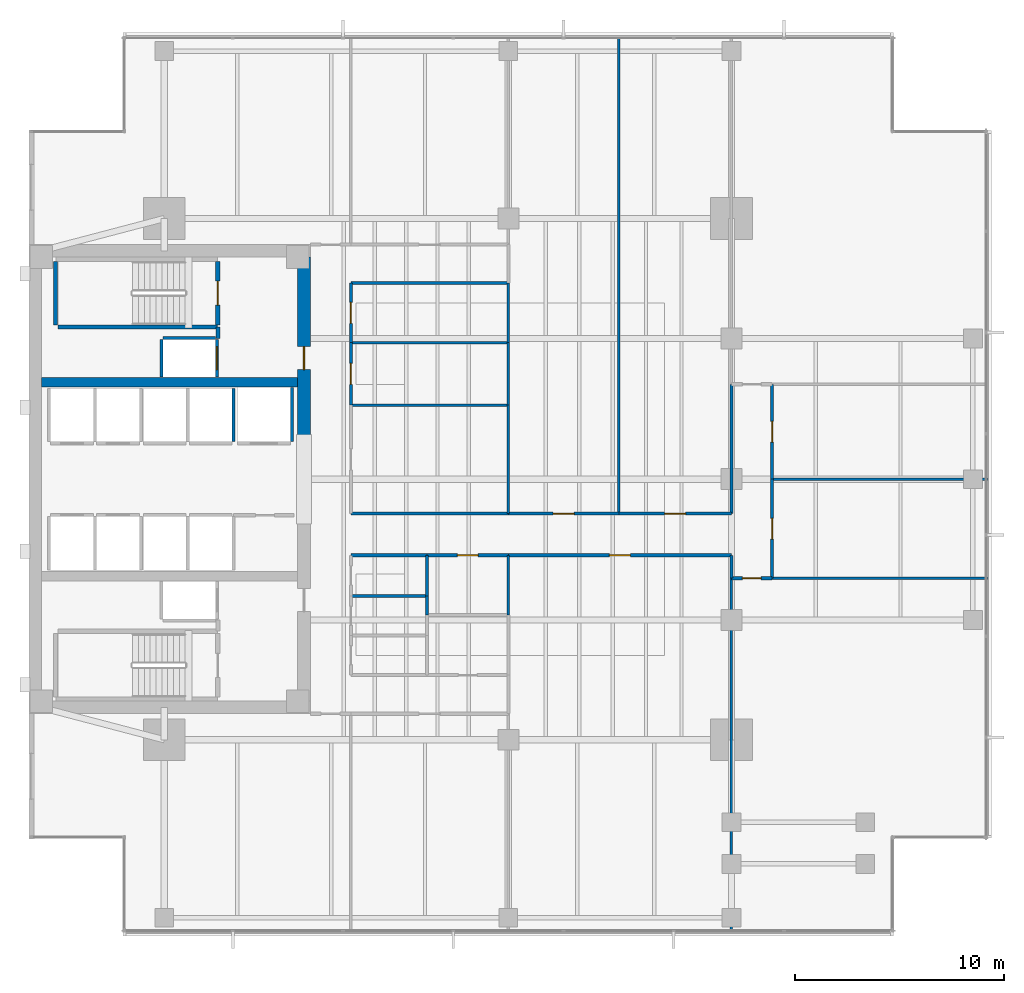
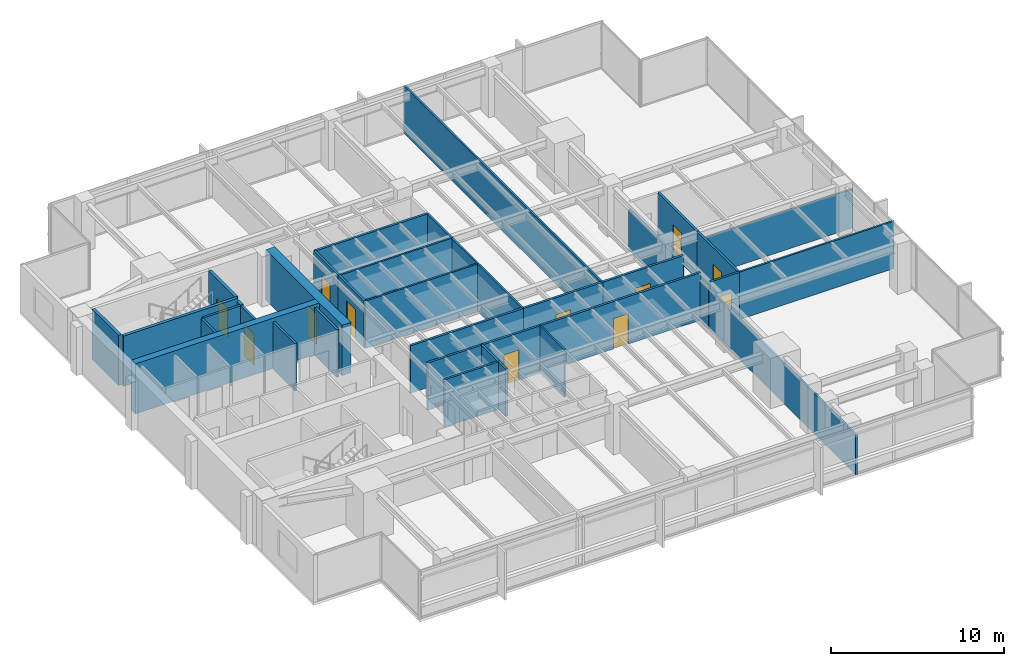
# One storey, part 10 of 15: 38 walls, 12 doors, 12 openings.
"""IFC4 building model written with IfcOpenShell, lengths in metres."""

from ifc_helpers import new_model, si_unit, direction, frame, frame_2d, origin, place, context, subcontext, project, spatial, rectangle, extrude, material, layer, layer_set, type_object, element, fill, save


model = new_model("IFC4")

# Units and contexts
model_context = context("Model", 3, precision=1e-05, world=origin(), true_north=direction((0.0, 1.0)))
body_context = subcontext(model_context, "Body", "Model", "MODEL_VIEW")
ifc_project = project(units=[si_unit("LENGTHUNIT", "METRE"), si_unit("AREAUNIT", "SQUARE_METRE"), si_unit("VOLUMEUNIT", "CUBIC_METRE"), si_unit("PLANEANGLEUNIT", "RADIAN"), si_unit("MASSUNIT", "GRAM", prefix="KILO")], contexts=[model_context])

# Site, building, storey
site_placement = place(None, origin())
site = spatial("IfcSite", under=ifc_project, at=site_placement, CompositionType="ELEMENT")
building_placement = place(site_placement, origin())
building = spatial("IfcBuilding", under=site, at=building_placement, Name="Kinhvarn Gate Tower", CompositionType="ELEMENT")
storey_placement = place(building_placement, frame((0.0, 0.0, 169.699951171875)))
storey = spatial("IfcBuildingStorey", under=building, at=storey_placement, Name="L45", CompositionType="ELEMENT", Elevation=169.699951171875)

# Wall
ifc_material_1 = material(Name="Concrete C50/60", Category="concrete")
ifc_layer_1 = layer(ifc_material_1, 0.449951171875)
ifc_layer_set_1 = layer_set([ifc_layer_1], Name="Concrete C50/60")
wall_type_1 = type_object("IfcWallType", Name="WL-CORE-450", PredefinedType="SHEAR", material=ifc_layer_set_1)
wall_1_placement = place(storey_placement, frame((5.10009765625, 29.89990234375, 0.0), z_axis=(0.0, 0.0, 1.0), x_axis=(1.0, 0.0, 0.0)))
element("IfcWall", 1, at=wall_1_placement, inside=storey, type_object=wall_type_1, Name="Core North Spine Shear Wall L45 450 mm", PredefinedType="SHEAR", context=body_context, shape_type="SweptSolid", body=[
    extrude(rectangle(XDim=12.2998046875, YDim=0.449951171875, at=frame_2d((6.14990234375, 0.0))), origin(), (0.0, 0.0, 1.0), 3.550048828125),
])

# Wall, opening, door
ifc_material_2 = material(Name="Concrete C60/75", Category="concrete")
ifc_layer_2 = layer(ifc_material_2, 0.60009765625)
ifc_layer_set_2 = layer_set([ifc_layer_2], Name="Concrete C60/75")
wall_type_2 = type_object("IfcWallType", Name="WL-CORE-600", PredefinedType="SHEAR", material=ifc_layer_set_2)
wall_2_placement = place(storey_placement, frame((17.699951171875, 27.050048828125, 0.0), z_axis=(0.0, 0.0, 1.0), x_axis=(0.0, 1.0, 0.0)))
wall_2 = element("IfcWall", 2, at=wall_2_placement, inside=storey, type_object=wall_type_2, Name="Core East-North Shear Pier L45 600 mm", PredefinedType="SHEAR", context=body_context, shape_type="SweptSolid", body=[
    extrude(rectangle(XDim=8.849853515625, YDim=0.60009765625, at=frame_2d((4.4248046875, 0.0))), origin(), (0.0, 0.0, 1.0), 3.550048828125),
])
opening_1_placement = place(wall_2_placement, frame((3.449951171875, 0.0, 0.0)))
opening_1 = element("IfcOpeningElement", 3, at=opening_1_placement, cuts=wall_2, Name="Opening FD-02", PredefinedType="OPENING", context=body_context, shape_type="SweptSolid", body=[
    extrude(rectangle(XDim=1.10009765625, YDim=2.14990234375, at=frame_2d((0.550048828125, 1.074951171875))), frame((0.0, 0.31005859375, 0.0), z_axis=(0.0, -1.0, 0.0), x_axis=(1.0, 0.0, 0.0)), (0.0, 0.0, 1.0), 0.6201171875),
])
ifc_material_3 = material(Name="Anodised aluminium AW-6063", Category="aluminium")
door_type_1 = type_object("IfcDoorType", Name="DR-FD-1100", OperationType="NOTDEFINED", PredefinedType="DOOR", material=ifc_material_3)
door_1_placement = place(opening_1_placement, origin())
door_1 = element("IfcDoor", 4, at=door_1_placement, inside=storey, type_object=door_type_1, Name="Firefighting Lobby Core Door (L45)", OperationType="SINGLE_SWING_LEFT", OverallHeight=2.14990234375, OverallWidth=1.10009765625, PredefinedType="DOOR", context=body_context, shape_type="SweptSolid", body=[
    extrude(rectangle(XDim=1.10009765625, YDim=2.14990234375, at=frame_2d((0.550048828125, 1.074951171875))), frame((0.0, 0.02490234375, 0.0), z_axis=(0.0, -1.0, 0.0), x_axis=(1.0, 0.0, 0.0)), (0.0, 0.0, 1.0), 0.050048828125),
])
fill(opening_1, door_1)

# Walls
ifc_material_4 = material(Name="Gypsum acoustic partition board")
ifc_layer_3 = layer(ifc_material_4, 0.14990234375)
ifc_layer_set_3 = layer_set([ifc_layer_3], Name="Gypsum acoustic partition board")
wall_type_3 = type_object("IfcWallType", Name="WL-PLM-150", PredefinedType="PLUMBINGWALL", material=ifc_layer_set_3)
wall_3_placement = place(storey_placement, frame((19.949951171875, 19.64990234375, 0.0), z_axis=(0.0, 0.0, 1.0), x_axis=(1.0, 0.0, 0.0)))
element("IfcWall", 5, at=wall_3_placement, inside=storey, type_object=wall_type_3, Name="Interior Partition PLW-150 (L45)", PredefinedType="PLUMBINGWALL", context=body_context, shape_type="SweptSolid", body=[
    extrude(rectangle(XDim=3.650146484375, YDim=0.14990234375, at=frame_2d((1.8251953125, 0.0))), origin(), (0.0, 0.0, 1.0), 3.35009765625),
])
wall_4_placement = place(storey_placement, frame((23.60009765625, 18.72998046875, 0.0), z_axis=(0.0, 0.0, 1.0), x_axis=(0.0, 1.0, 0.0)))
element("IfcWall", 6, at=wall_4_placement, inside=storey, type_object=wall_type_3, Name="Interior Partition PLW-150 (L45)", PredefinedType="PLUMBINGWALL", context=body_context, shape_type="SweptSolid", body=[
    extrude(rectangle(XDim=0.919921875, YDim=0.14990234375, at=frame_2d((0.4599609375, 0.0))), origin(), (0.0, 0.0, 1.0), 3.35009765625),
])
wall_5_placement = place(storey_placement, frame((23.60009765625, 19.64990234375, 0.0), z_axis=(0.0, 0.0, 1.0), x_axis=(0.0, 1.0, 0.0)))
element("IfcWall", 7, at=wall_5_placement, inside=storey, type_object=wall_type_3, Name="Interior Partition PLW-150 (L45)", PredefinedType="PLUMBINGWALL", context=body_context, shape_type="SweptSolid", body=[
    extrude(rectangle(XDim=1.9501953125, YDim=0.14990234375, at=frame_2d((0.97509765625, 0.0))), origin(), (0.0, 0.0, 1.0), 3.35009765625),
])
ifc_layer_4 = layer(ifc_material_4, 0.14990234375)
ifc_layer_set_4 = layer_set([ifc_layer_4], Name="Gypsum acoustic partition board")
wall_type_4 = type_object("IfcWallType", Name="WL-PLM-150F", PredefinedType="PLUMBINGWALL", material=ifc_layer_set_4)
wall_6_placement = place(storey_placement, frame((19.949951171875, 21.60009765625, 0.0), z_axis=(0.0, 0.0, 1.0), x_axis=(1.0, 0.0, 0.0)))
element("IfcWall", 8, at=wall_6_placement, inside=storey, type_object=wall_type_4, Name="Interior Partition PLW-150F (L45)", PredefinedType="PLUMBINGWALL", context=body_context, shape_type="SweptSolid", body=[
    extrude(rectangle(XDim=3.650146484375, YDim=0.14990234375, at=frame_2d((1.8251953125, 0.0))), origin(), (0.0, 0.0, 1.0), 3.35009765625),
])
ifc_layer_5 = layer(ifc_material_4, 0.1201171875)
ifc_layer_set_5 = layer_set([ifc_layer_5], Name="Gypsum acoustic partition board")
wall_type_5 = type_object("IfcWallType", Name="WL-PRT-120", PredefinedType="PARTITIONING", material=ifc_layer_set_5)
wall_7_placement = place(storey_placement, frame((27.5, 18.72998046875, 0.0), z_axis=(0.0, 0.0, 1.0), x_axis=(0.0, 1.0, 0.0)))
element("IfcWall", 9, at=wall_7_placement, inside=storey, type_object=wall_type_5, Name="Interior Partition PW-120 (L45)", PredefinedType="PARTITIONING", context=body_context, shape_type="SweptSolid", body=[
    extrude(rectangle(XDim=2.8701171875, YDim=0.1201171875, at=frame_2d((1.43505859375, 0.0))), origin(), (0.0, 0.0, 1.0), 3.35009765625),
])
wall_8_placement = place(storey_placement, frame((19.949951171875, 28.800048828125, 0.0), z_axis=(0.0, 0.0, 1.0), x_axis=(1.0, 0.0, 0.0)))
element("IfcWall", 10, at=wall_8_placement, inside=storey, type_object=wall_type_5, Name="Interior Partition PW-120 (L45)", PredefinedType="PARTITIONING", context=body_context, shape_type="SweptSolid", body=[
    extrude(rectangle(XDim=7.550048828125, YDim=0.1201171875, at=frame_2d((3.77490234375, 0.0))), origin(), (0.0, 0.0, 1.0), 3.35009765625),
])
wall_9_placement = place(storey_placement, frame((27.5, 23.60009765625, 0.0), z_axis=(0.0, 0.0, 1.0), x_axis=(0.0, 1.0, 0.0)))
element("IfcWall", 11, at=wall_9_placement, inside=storey, type_object=wall_type_5, Name="Interior Partition PW-120 (L45)", PredefinedType="PARTITIONING", context=body_context, shape_type="SweptSolid", body=[
    extrude(rectangle(XDim=5.199951171875, YDim=0.1201171875, at=frame_2d((2.60009765625, 0.0))), origin(), (0.0, 0.0, 1.0), 3.35009765625),
])
wall_10_placement = place(storey_placement, frame((19.949951171875, 31.800048828125, 0.0), z_axis=(0.0, 0.0, 1.0), x_axis=(1.0, 0.0, 0.0)))
element("IfcWall", 12, at=wall_10_placement, inside=storey, type_object=wall_type_5, Name="Interior Partition PW-120 (L45)", PredefinedType="PARTITIONING", context=body_context, shape_type="SweptSolid", body=[
    extrude(rectangle(XDim=7.550048828125, YDim=0.1201171875, at=frame_2d((3.77490234375, 0.0))), origin(), (0.0, 0.0, 1.0), 3.35009765625),
])
wall_11_placement = place(storey_placement, frame((27.5, 28.800048828125, 0.0), z_axis=(0.0, 0.0, 1.0), x_axis=(0.0, 1.0, 0.0)))
element("IfcWall", 13, at=wall_11_placement, inside=storey, type_object=wall_type_5, Name="Interior Partition PW-120 (L45)", PredefinedType="PARTITIONING", context=body_context, shape_type="SweptSolid", body=[
    extrude(rectangle(XDim=3.0, YDim=0.1201171875, at=frame_2d((1.5, 0.0))), origin(), (0.0, 0.0, 1.0), 3.35009765625),
])
wall_12_placement = place(storey_placement, frame((27.5, 31.800048828125, 0.0), z_axis=(0.0, 0.0, 1.0), x_axis=(0.0, 1.0, 0.0)))
element("IfcWall", 14, at=wall_12_placement, inside=storey, type_object=wall_type_5, Name="Interior Partition PW-120 (L45)", PredefinedType="PARTITIONING", context=body_context, shape_type="SweptSolid", body=[
    extrude(rectangle(XDim=2.849853515625, YDim=0.1201171875, at=frame_2d((1.4248046875, 0.0))), origin(), (0.0, 0.0, 1.0), 3.35009765625),
])
wall_13_placement = place(storey_placement, frame((38.199951171875, 3.510009765625, 0.0), z_axis=(0.0, 0.0, 1.0), x_axis=(0.0, 1.0, 0.0)))
element("IfcWall", 15, at=wall_13_placement, inside=storey, type_object=wall_type_5, Name="Interior Partition PW-120 (L45)", PredefinedType="PARTITIONING", context=body_context, shape_type="SweptSolid", body=[
    extrude(rectangle(XDim=16.989990234375, YDim=0.1201171875, at=frame_2d((8.4951171875, 0.0))), origin(), (0.0, 0.0, 1.0), 2.85009765625),
])
wall_14_placement = place(storey_placement, frame((32.800048828125, 23.60009765625, 0.0), z_axis=(0.0, 0.0, 1.0), x_axis=(0.0, 1.0, 0.0)))
element("IfcWall", 16, at=wall_14_placement, inside=storey, type_object=wall_type_5, Name="Interior Partition PW-120 (L45)", PredefinedType="PARTITIONING", context=body_context, shape_type="SweptSolid", body=[
    extrude(rectangle(XDim=22.889892578125, YDim=0.1201171875, at=frame_2d((11.44482421875, 0.0))), origin(), (0.0, 0.0, 1.0), 3.35009765625),
])
wall_15_placement = place(storey_placement, frame((40.14990234375, 20.5, 0.0), z_axis=(0.0, 0.0, 1.0), x_axis=(1.0, 0.0, 0.0)))
element("IfcWall", 17, at=wall_15_placement, inside=storey, type_object=wall_type_5, Name="Interior Partition PW-120 (L45)", PredefinedType="PARTITIONING", context=body_context, shape_type="SweptSolid", body=[
    extrude(rectangle(XDim=10.340087890625, YDim=0.1201171875, at=frame_2d((5.169921875, 0.0))), origin(), (0.0, 0.0, 1.0), 3.35009765625),
])
wall_16_placement = place(storey_placement, frame((40.14990234375, 25.25, 0.0), z_axis=(0.0, 0.0, 1.0), x_axis=(1.0, 0.0, 0.0)))
element("IfcWall", 18, at=wall_16_placement, inside=storey, type_object=wall_type_5, Name="Interior Partition PW-120 (L45)", PredefinedType="PARTITIONING", context=body_context, shape_type="SweptSolid", body=[
    extrude(rectangle(XDim=10.340087890625, YDim=0.1201171875, at=frame_2d((5.169921875, 0.0))), origin(), (0.0, 0.0, 1.0), 2.75),
])

# Wall, opening, door
ifc_layer_6 = layer(ifc_material_4, 0.14990234375)
ifc_layer_set_6 = layer_set([ifc_layer_6], Name="Gypsum acoustic partition board")
wall_type_6 = type_object("IfcWallType", Name="WL-PRT-150F", PredefinedType="PARTITIONING", material=ifc_layer_set_6)
wall_17_placement = place(storey_placement, frame((19.949951171875, 28.800048828125, 0.0), z_axis=(0.0, 0.0, 1.0), x_axis=(0.0, 1.0, 0.0)))
wall_17 = element("IfcWall", 19, at=wall_17_placement, inside=storey, type_object=wall_type_6, Name="Interior Partition PW-150F (L45)", PredefinedType="PARTITIONING", context=body_context, shape_type="SweptSolid", body=[
    extrude(rectangle(XDim=3.0, YDim=0.14990234375, at=frame_2d((1.5, 0.0))), origin(), (0.0, 0.0, 1.0), 3.35009765625),
])
opening_2_placement = place(wall_17_placement, frame((1.0, 0.0, 0.0)))
opening_2 = element("IfcOpeningElement", 20, at=opening_2_placement, cuts=wall_17, Name="Opening ID-02", PredefinedType="OPENING", context=body_context, shape_type="SweptSolid", body=[
    extrude(rectangle(XDim=1.0, YDim=2.14990234375, at=frame_2d((0.5, 1.074951171875))), frame((0.0, 0.0849609375, 0.0), z_axis=(0.0, -1.0, 0.0), x_axis=(1.0, 0.0, 0.0)), (0.0, 0.0, 1.0), 0.169921875),
])
door_type_2 = type_object("IfcDoorType", Name="DR-INT-1000", OperationType="NOTDEFINED", PredefinedType="DOOR", material=ifc_material_3)
door_2_placement = place(opening_2_placement, origin())
door_2 = element("IfcDoor", 21, at=door_2_placement, inside=storey, type_object=door_type_2, Name="Standard Office & Meeting Room Door 1000x2150 mm (L45)", OperationType="SINGLE_SWING_LEFT", OverallHeight=2.14990234375, OverallWidth=1.0, PredefinedType="DOOR", context=body_context, shape_type="SweptSolid", body=[
    extrude(rectangle(XDim=1.0, YDim=2.14990234375, at=frame_2d((0.5, 1.074951171875))), frame((0.0, 0.02490234375, 0.0), z_axis=(0.0, -1.0, 0.0), x_axis=(1.0, 0.0, 0.0)), (0.0, 0.0, 1.0), 0.050048828125),
])
fill(opening_2, door_2)

wall_18_placement = place(storey_placement, frame((19.949951171875, 31.800048828125, 0.0), z_axis=(0.0, 0.0, 1.0), x_axis=(0.0, 1.0, 0.0)))
wall_18 = element("IfcWall", 22, at=wall_18_placement, inside=storey, type_object=wall_type_6, Name="Interior Partition PW-150F (L45)", PredefinedType="PARTITIONING", context=body_context, shape_type="SweptSolid", body=[
    extrude(rectangle(XDim=2.849853515625, YDim=0.14990234375, at=frame_2d((1.4248046875, 0.0))), origin(), (0.0, 0.0, 1.0), 3.35009765625),
])
opening_3_placement = place(wall_18_placement, frame((0.925048828125, 0.0, 0.0)))
opening_3 = element("IfcOpeningElement", 23, at=opening_3_placement, cuts=wall_18, Name="Opening ID-02", PredefinedType="OPENING", context=body_context, shape_type="SweptSolid", body=[
    extrude(rectangle(XDim=1.0, YDim=2.14990234375, at=frame_2d((0.5, 1.074951171875))), frame((0.0, 0.0849609375, 0.0), z_axis=(0.0, -1.0, 0.0), x_axis=(1.0, 0.0, 0.0)), (0.0, 0.0, 1.0), 0.169921875),
])
door_3_placement = place(opening_3_placement, origin())
door_3 = element("IfcDoor", 24, at=door_3_placement, inside=storey, type_object=door_type_2, Name="Standard Office & Meeting Room Door 1000x2150 mm (L45)", OperationType="SINGLE_SWING_RIGHT", OverallHeight=2.14990234375, OverallWidth=1.0, PredefinedType="DOOR", context=body_context, shape_type="SweptSolid", body=[
    extrude(rectangle(XDim=1.0, YDim=2.14990234375, at=frame_2d((0.5, 1.074951171875))), frame((0.0, 0.02490234375, 0.0), z_axis=(0.0, -1.0, 0.0), x_axis=(1.0, 0.0, 0.0)), (0.0, 0.0, 1.0), 0.050048828125),
])
fill(opening_3, door_3)

wall_19_placement = place(storey_placement, frame((23.60009765625, 21.60009765625, 0.0), z_axis=(0.0, 0.0, 1.0), x_axis=(1.0, 0.0, 0.0)))
wall_19 = element("IfcWall", 25, at=wall_19_placement, inside=storey, type_object=wall_type_6, Name="Interior Partition PW-150F (L45)", PredefinedType="PARTITIONING", context=body_context, shape_type="SweptSolid", body=[
    extrude(rectangle(XDim=3.89990234375, YDim=0.14990234375, at=frame_2d((1.949951171875, 0.0))), origin(), (0.0, 0.0, 1.0), 3.35009765625),
])
opening_4_placement = place(wall_19_placement, frame((1.449951171875, 0.0, 0.0)))
opening_4 = element("IfcOpeningElement", 26, at=opening_4_placement, cuts=wall_19, Name="Opening ID-02", PredefinedType="OPENING", context=body_context, shape_type="SweptSolid", body=[
    extrude(rectangle(XDim=1.0, YDim=2.14990234375, at=frame_2d((0.5, 1.074951171875))), frame((0.0, 0.0849609375, 0.0), z_axis=(0.0, -1.0, 0.0), x_axis=(1.0, 0.0, 0.0)), (0.0, 0.0, 1.0), 0.169921875),
])
door_4_placement = place(opening_4_placement, origin())
door_4 = element("IfcDoor", 27, at=door_4_placement, inside=storey, type_object=door_type_2, Name="Standard Office & Meeting Room Door 1000x2150 mm (L45)", OperationType="SINGLE_SWING_LEFT", OverallHeight=2.14990234375, OverallWidth=1.0, PredefinedType="DOOR", context=body_context, shape_type="SweptSolid", body=[
    extrude(rectangle(XDim=1.0, YDim=2.14990234375, at=frame_2d((0.5, 1.074951171875))), frame((0.0, 0.02490234375, 0.0), z_axis=(0.0, -1.0, 0.0), x_axis=(1.0, 0.0, 0.0)), (0.0, 0.0, 1.0), 0.050048828125),
])
fill(opening_4, door_4)

# Wall
wall_20_placement = place(storey_placement, frame((19.949951171875, 23.60009765625, 0.0), z_axis=(0.0, 0.0, 1.0), x_axis=(1.0, 0.0, 0.0)))
element("IfcWall", 28, at=wall_20_placement, inside=storey, type_object=wall_type_6, Name="Interior Partition PW-150F (L45)", PredefinedType="PARTITIONING", context=body_context, shape_type="SweptSolid", body=[
    extrude(rectangle(XDim=7.550048828125, YDim=0.14990234375, at=frame_2d((3.77490234375, 0.0))), origin(), (0.0, 0.0, 1.0), 3.35009765625),
])

# Wall, opening, door
wall_21_placement = place(storey_placement, frame((27.5, 21.60009765625, 0.0), z_axis=(0.0, 0.0, 1.0), x_axis=(1.0, 0.0, 0.0)))
wall_21 = element("IfcWall", 29, at=wall_21_placement, inside=storey, type_object=wall_type_6, Name="Interior Partition PW-150F (L45)", PredefinedType="PARTITIONING", context=body_context, shape_type="SweptSolid", body=[
    extrude(rectangle(XDim=10.699951171875, YDim=0.14990234375, at=frame_2d((5.35009765625, 0.0))), origin(), (0.0, 0.0, 1.0), 3.35009765625),
])
opening_5_placement = place(wall_21_placement, frame((4.85009765625, 0.0, 0.0)))
opening_5 = element("IfcOpeningElement", 30, at=opening_5_placement, cuts=wall_21, Name="Opening ID-02", PredefinedType="OPENING", context=body_context, shape_type="SweptSolid", body=[
    extrude(rectangle(XDim=1.0, YDim=2.14990234375, at=frame_2d((0.5, 1.074951171875))), frame((0.0, 0.0849609375, 0.0), z_axis=(0.0, -1.0, 0.0), x_axis=(1.0, 0.0, 0.0)), (0.0, 0.0, 1.0), 0.169921875),
])
door_5_placement = place(opening_5_placement, origin())
door_5 = element("IfcDoor", 31, at=door_5_placement, inside=storey, type_object=door_type_2, Name="Standard Office & Meeting Room Door 1000x2150 mm (L45)", OperationType="SINGLE_SWING_RIGHT", OverallHeight=2.14990234375, OverallWidth=1.0, PredefinedType="DOOR", context=body_context, shape_type="SweptSolid", body=[
    extrude(rectangle(XDim=1.0, YDim=2.14990234375, at=frame_2d((0.5, 1.074951171875))), frame((0.0, 0.02490234375, 0.0), z_axis=(0.0, -1.0, 0.0), x_axis=(1.0, 0.0, 0.0)), (0.0, 0.0, 1.0), 0.050048828125),
])
fill(opening_5, door_5)

wall_22_placement = place(storey_placement, frame((27.5, 23.60009765625, 0.0), z_axis=(0.0, 0.0, 1.0), x_axis=(1.0, 0.0, 0.0)))
wall_22 = element("IfcWall", 32, at=wall_22_placement, inside=storey, type_object=wall_type_6, Name="Interior Partition PW-150F (L45)", PredefinedType="PARTITIONING", context=body_context, shape_type="SweptSolid", body=[
    extrude(rectangle(XDim=5.300048828125, YDim=0.14990234375, at=frame_2d((2.64990234375, 0.0))), origin(), (0.0, 0.0, 1.0), 3.35009765625),
])
opening_6_placement = place(wall_22_placement, frame((2.14990234375, 0.0, 0.0)))
opening_6 = element("IfcOpeningElement", 33, at=opening_6_placement, cuts=wall_22, Name="Opening ID-02", PredefinedType="OPENING", context=body_context, shape_type="SweptSolid", body=[
    extrude(rectangle(XDim=1.0, YDim=2.14990234375, at=frame_2d((0.5, 1.074951171875))), frame((0.0, 0.0849609375, 0.0), z_axis=(0.0, -1.0, 0.0), x_axis=(1.0, 0.0, 0.0)), (0.0, 0.0, 1.0), 0.169921875),
])
door_6_placement = place(opening_6_placement, origin())
door_6 = element("IfcDoor", 34, at=door_6_placement, inside=storey, type_object=door_type_2, Name="Standard Office & Meeting Room Door 1000x2150 mm (L45)", OperationType="SINGLE_SWING_LEFT", OverallHeight=2.14990234375, OverallWidth=1.0, PredefinedType="DOOR", context=body_context, shape_type="SweptSolid", body=[
    extrude(rectangle(XDim=1.0, YDim=2.14990234375, at=frame_2d((0.5, 1.074951171875))), frame((0.0, 0.02490234375, 0.0), z_axis=(0.0, -1.0, 0.0), x_axis=(1.0, 0.0, 0.0)), (0.0, 0.0, 1.0), 0.050048828125),
])
fill(opening_6, door_6)

wall_23_placement = place(storey_placement, frame((32.800048828125, 23.60009765625, 0.0), z_axis=(0.0, 0.0, 1.0), x_axis=(1.0, 0.0, 0.0)))
wall_23 = element("IfcWall", 35, at=wall_23_placement, inside=storey, type_object=wall_type_6, Name="Interior Partition PW-150F (L45)", PredefinedType="PARTITIONING", context=body_context, shape_type="SweptSolid", body=[
    extrude(rectangle(XDim=5.39990234375, YDim=0.14990234375, at=frame_2d((2.699951171875, 0.0))), origin(), (0.0, 0.0, 1.0), 3.35009765625),
])
opening_7_placement = place(wall_23_placement, frame((2.199951171875, 0.0, 0.0)))
opening_7 = element("IfcOpeningElement", 36, at=opening_7_placement, cuts=wall_23, Name="Opening ID-02", PredefinedType="OPENING", context=body_context, shape_type="SweptSolid", body=[
    extrude(rectangle(XDim=1.0, YDim=2.14990234375, at=frame_2d((0.5, 1.074951171875))), frame((0.0, 0.0849609375, 0.0), z_axis=(0.0, -1.0, 0.0), x_axis=(1.0, 0.0, 0.0)), (0.0, 0.0, 1.0), 0.169921875),
])
door_7_placement = place(opening_7_placement, origin())
door_7 = element("IfcDoor", 37, at=door_7_placement, inside=storey, type_object=door_type_2, Name="Standard Office & Meeting Room Door 1000x2150 mm (L45)", OperationType="SINGLE_SWING_RIGHT", OverallHeight=2.14990234375, OverallWidth=1.0, PredefinedType="DOOR", context=body_context, shape_type="SweptSolid", body=[
    extrude(rectangle(XDim=1.0, YDim=2.14990234375, at=frame_2d((0.5, 1.074951171875))), frame((0.0, 0.02490234375, 0.0), z_axis=(0.0, -1.0, 0.0), x_axis=(1.0, 0.0, 0.0)), (0.0, 0.0, 1.0), 0.050048828125),
])
fill(opening_7, door_7)

# Walls
wall_24_placement = place(storey_placement, frame((19.949951171875, 34.64990234375, 0.0), z_axis=(0.0, 0.0, 1.0), x_axis=(1.0, 0.0, 0.0)))
element("IfcWall", 38, at=wall_24_placement, inside=storey, type_object=wall_type_6, Name="Interior Partition PW-150F (L45)", PredefinedType="PARTITIONING", context=body_context, shape_type="SweptSolid", body=[
    extrude(rectangle(XDim=7.550048828125, YDim=0.14990234375, at=frame_2d((3.77490234375, 0.0))), origin(), (0.0, 0.0, 1.0), 3.35009765625),
])
wall_25_placement = place(storey_placement, frame((38.199951171875, 20.5, 0.0), z_axis=(0.0, 0.0, 1.0), x_axis=(0.0, 1.0, 0.0)))
element("IfcWall", 39, at=wall_25_placement, inside=storey, type_object=wall_type_6, Name="Interior Partition PW-150F (L45)", PredefinedType="PARTITIONING", context=body_context, shape_type="SweptSolid", body=[
    extrude(rectangle(XDim=1.10009765625, YDim=0.14990234375, at=frame_2d((0.550048828125, 0.0))), origin(), (0.0, 0.0, 1.0), 2.85009765625),
])
wall_26_placement = place(storey_placement, frame((38.199951171875, 23.60009765625, 0.0), z_axis=(0.0, 0.0, 1.0), x_axis=(0.0, 1.0, 0.0)))
element("IfcWall", 40, at=wall_26_placement, inside=storey, type_object=wall_type_6, Name="Interior Partition PW-150F (L45)", PredefinedType="PARTITIONING", context=body_context, shape_type="SweptSolid", body=[
    extrude(rectangle(XDim=6.199951171875, YDim=0.14990234375, at=frame_2d((3.10009765625, 0.0))), origin(), (0.0, 0.0, 1.0), 2.85009765625),
])

# Wall, opening, door
wall_27_placement = place(storey_placement, frame((38.199951171875, 20.5, 0.0), z_axis=(0.0, 0.0, 1.0), x_axis=(1.0, 0.0, 0.0)))
wall_27 = element("IfcWall", 41, at=wall_27_placement, inside=storey, type_object=wall_type_6, Name="Interior Partition PW-150F (L45)", PredefinedType="PARTITIONING", context=body_context, shape_type="SweptSolid", body=[
    extrude(rectangle(XDim=1.949951171875, YDim=0.14990234375, at=frame_2d((0.97509765625, 0.0))), origin(), (0.0, 0.0, 1.0), 3.35009765625),
])
opening_8_placement = place(wall_27_placement, frame((0.52490234375, 0.0, 0.0)))
opening_8 = element("IfcOpeningElement", 42, at=opening_8_placement, cuts=wall_27, Name="Opening ID-03", PredefinedType="OPENING", context=body_context, shape_type="SweptSolid", body=[
    extrude(rectangle(XDim=0.89990234375, YDim=2.10009765625, at=frame_2d((0.449951171875, 1.050048828125))), frame((0.0, 0.0849609375, 0.0), z_axis=(0.0, -1.0, 0.0), x_axis=(1.0, 0.0, 0.0)), (0.0, 0.0, 1.0), 0.169921875),
])
door_type_3 = type_object("IfcDoorType", Name="DR-INT-900", OperationType="NOTDEFINED", PredefinedType="DOOR", material=ifc_material_3)
door_8_placement = place(opening_8_placement, origin())
door_8 = element("IfcDoor", 43, at=door_8_placement, inside=storey, type_object=door_type_3, Name="Cellular Office & Restroom Door 900x2100 mm (L45)", OperationType="SINGLE_SWING_RIGHT", OverallHeight=2.10009765625, OverallWidth=0.89990234375, PredefinedType="DOOR", context=body_context, shape_type="SweptSolid", body=[
    extrude(rectangle(XDim=0.89990234375, YDim=2.10009765625, at=frame_2d((0.449951171875, 1.050048828125))), frame((0.0, 0.02490234375, 0.0), z_axis=(0.0, -1.0, 0.0), x_axis=(1.0, 0.0, 0.0)), (0.0, 0.0, 1.0), 0.050048828125),
])
fill(opening_8, door_8)

wall_28_placement = place(storey_placement, frame((40.14990234375, 20.5, 0.0), z_axis=(0.0, 0.0, 1.0), x_axis=(0.0, 1.0, 0.0)))
wall_28 = element("IfcWall", 44, at=wall_28_placement, inside=storey, type_object=wall_type_6, Name="Interior Partition PW-150F (L45)", PredefinedType="PARTITIONING", context=body_context, shape_type="SweptSolid", body=[
    extrude(rectangle(XDim=4.75, YDim=0.14990234375, at=frame_2d((2.375, 0.0))), origin(), (0.0, 0.0, 1.0), 3.35009765625),
])
opening_9_placement = place(wall_28_placement, frame((1.875, 0.0, 0.0)))
opening_9 = element("IfcOpeningElement", 45, at=opening_9_placement, cuts=wall_28, Name="Opening ID-02", PredefinedType="OPENING", context=body_context, shape_type="SweptSolid", body=[
    extrude(rectangle(XDim=1.0, YDim=2.14990234375, at=frame_2d((0.5, 1.074951171875))), frame((0.0, 0.0849609375, 0.0), z_axis=(0.0, -1.0, 0.0), x_axis=(1.0, 0.0, 0.0)), (0.0, 0.0, 1.0), 0.169921875),
])
door_9_placement = place(opening_9_placement, origin())
door_9 = element("IfcDoor", 46, at=door_9_placement, inside=storey, type_object=door_type_2, Name="Standard Office & Meeting Room Door 1000x2150 mm (L45)", OperationType="SINGLE_SWING_LEFT", OverallHeight=2.14990234375, OverallWidth=1.0, PredefinedType="DOOR", context=body_context, shape_type="SweptSolid", body=[
    extrude(rectangle(XDim=1.0, YDim=2.14990234375, at=frame_2d((0.5, 1.074951171875))), frame((0.0, 0.02490234375, 0.0), z_axis=(0.0, -1.0, 0.0), x_axis=(1.0, 0.0, 0.0)), (0.0, 0.0, 1.0), 0.050048828125),
])
fill(opening_9, door_9)

wall_29_placement = place(storey_placement, frame((40.14990234375, 25.25, 0.0), z_axis=(0.0, 0.0, 1.0), x_axis=(0.0, 1.0, 0.0)))
wall_29 = element("IfcWall", 47, at=wall_29_placement, inside=storey, type_object=wall_type_6, Name="Interior Partition PW-150F (L45)", PredefinedType="PARTITIONING", context=body_context, shape_type="SweptSolid", body=[
    extrude(rectangle(XDim=4.550048828125, YDim=0.14990234375, at=frame_2d((2.27490234375, 0.0))), origin(), (0.0, 0.0, 1.0), 3.35009765625),
])
opening_10_placement = place(wall_29_placement, frame((1.77490234375, 0.0, 0.0)))
opening_10 = element("IfcOpeningElement", 48, at=opening_10_placement, cuts=wall_29, Name="Opening ID-02", PredefinedType="OPENING", context=body_context, shape_type="SweptSolid", body=[
    extrude(rectangle(XDim=1.0, YDim=2.14990234375, at=frame_2d((0.5, 1.074951171875))), frame((0.0, 0.0849609375, 0.0), z_axis=(0.0, -1.0, 0.0), x_axis=(1.0, 0.0, 0.0)), (0.0, 0.0, 1.0), 0.169921875),
])
door_10_placement = place(opening_10_placement, origin())
door_10 = element("IfcDoor", 49, at=door_10_placement, inside=storey, type_object=door_type_2, Name="Standard Office & Meeting Room Door 1000x2150 mm (L45)", OperationType="SINGLE_SWING_RIGHT", OverallHeight=2.14990234375, OverallWidth=1.0, PredefinedType="DOOR", context=body_context, shape_type="SweptSolid", body=[
    extrude(rectangle(XDim=1.0, YDim=2.14990234375, at=frame_2d((0.5, 1.074951171875))), frame((0.0, 0.02490234375, 0.0), z_axis=(0.0, -1.0, 0.0), x_axis=(1.0, 0.0, 0.0)), (0.0, 0.0, 1.0), 0.050048828125),
])
fill(opening_10, door_10)

# Walls
ifc_layer_7 = layer(ifc_material_4, 0.199951171875)
ifc_layer_set_7 = layer_set([ifc_layer_7], Name="Gypsum acoustic partition board")
wall_type_7 = type_object("IfcWallType", Name="WL-PRT-200", PredefinedType="PARTITIONING", material=ifc_layer_set_7)
wall_30_placement = place(storey_placement, frame((13.580078125, 32.0, 0.0), z_axis=(0.0, 0.0, 1.0), x_axis=(0.0, 1.0, 0.0)))
element("IfcWall", 50, at=wall_30_placement, inside=storey, type_object=wall_type_7, Name="Interior Partition PW-200 (L45)", PredefinedType="PARTITIONING", context=body_context, shape_type="SweptSolid", body=[
    extrude(rectangle(XDim=0.5400390625, YDim=0.199951171875, at=frame_2d((0.27001953125, 0.0))), origin(), (0.0, 0.0, 1.0), 3.35009765625),
])
ifc_layer_8 = layer(ifc_material_4, 0.14990234375)
ifc_layer_set_8 = layer_set([ifc_layer_8], Name="Gypsum acoustic partition board")
wall_type_8 = type_object("IfcWallType", Name="WL-SHF-150", PredefinedType="PARTITIONING", material=ifc_layer_set_8)
wall_31_placement = place(storey_placement, frame((14.324951171875, 27.050048828125, 0.0), z_axis=(0.0, 0.0, 1.0), x_axis=(0.0, 1.0, 0.0)))
element("IfcWall", 51, at=wall_31_placement, inside=storey, type_object=wall_type_8, Name="Elevator PH-12 Hoistway Wall E (L45)", PredefinedType="PARTITIONING", context=body_context, shape_type="SweptSolid", body=[
    extrude(rectangle(XDim=2.550048828125, YDim=0.14990234375, at=frame_2d((1.27490234375, 0.0))), origin(), (0.0, 0.0, 1.0), 3.35009765625),
])
wall_32_placement = place(storey_placement, frame((17.125, 27.050048828125, 0.0), z_axis=(0.0, 0.0, 1.0), x_axis=(0.0, 1.0, 0.0)))
element("IfcWall", 52, at=wall_32_placement, inside=storey, type_object=wall_type_8, Name="Elevator SV-01 Hoistway Wall E (L45)", PredefinedType="PARTITIONING", context=body_context, shape_type="SweptSolid", body=[
    extrude(rectangle(XDim=2.599853515625, YDim=0.14990234375, at=frame_2d((1.2998046875, 0.0))), origin(), (0.0, 0.0, 1.0), 3.35009765625),
])
wall_33_placement = place(storey_placement, frame((10.949951171875, 32.02490234375, 0.0), z_axis=(0.0, 0.0, 1.0), x_axis=(1.0, 0.0, 0.0)))
element("IfcWall", 53, at=wall_33_placement, inside=storey, type_object=wall_type_8, Name="Elevator FF2 Hoistway Wall N (L45)", PredefinedType="PARTITIONING", context=body_context, shape_type="SweptSolid", body=[
    extrude(rectangle(XDim=2.5, YDim=0.14990234375, at=frame_2d((1.25, 0.0))), origin(), (0.0, 0.0, 1.0), 3.35009765625),
])
wall_34_placement = place(storey_placement, frame((10.875, 30.14990234375, 0.0), z_axis=(0.0, 0.0, 1.0), x_axis=(0.0, 1.0, 0.0)))
element("IfcWall", 54, at=wall_34_placement, inside=storey, type_object=wall_type_8, Name="Elevator FF2 Hoistway Wall W (L45)", PredefinedType="PARTITIONING", context=body_context, shape_type="SweptSolid", body=[
    extrude(rectangle(XDim=1.800048828125, YDim=0.14990234375, at=frame_2d((0.89990234375, 0.0))), origin(), (0.0, 0.0, 1.0), 3.35009765625),
])

# Wall, opening, door
wall_35_placement = place(storey_placement, frame((13.52490234375, 30.14990234375, 0.0), z_axis=(0.0, 0.0, 1.0), x_axis=(0.0, 1.0, 0.0)))
wall_35 = element("IfcWall", 55, at=wall_35_placement, inside=storey, type_object=wall_type_8, Name="Elevator FF2 Landing Wall (L45)", PredefinedType="PARTITIONING", context=body_context, shape_type="SweptSolid", body=[
    extrude(rectangle(XDim=1.800048828125, YDim=0.14990234375, at=frame_2d((0.89990234375, 0.0))), origin(), (0.0, 0.0, 1.0), 3.35009765625),
])
opening_11_placement = place(wall_35_placement, frame((0.35009765625, 0.0, 0.0)))
opening_11 = element("IfcOpeningElement", 56, at=opening_11_placement, cuts=wall_35, Name="Opening LD-03", PredefinedType="OPENING", context=body_context, shape_type="SweptSolid", body=[
    extrude(rectangle(XDim=1.10009765625, YDim=2.199951171875, at=frame_2d((0.550048828125, 1.10009765625))), frame((0.0, 0.0849609375, 0.0), z_axis=(0.0, -1.0, 0.0), x_axis=(1.0, 0.0, 0.0)), (0.0, 0.0, 1.0), 0.169921875),
])
door_type_4 = type_object("IfcDoorType", Name="DR-LND-FF", OperationType="NOTDEFINED", PredefinedType="DOOR", material=ifc_material_3)
door_11_placement = place(opening_11_placement, origin())
door_11 = element("IfcDoor", 57, at=door_11_placement, inside=storey, type_object=door_type_4, Name="Elevator FF2 Sliding Landing Door (L45)", OperationType="DOUBLE_DOOR_SLIDING", OverallHeight=2.199951171875, OverallWidth=1.10009765625, PredefinedType="DOOR", context=body_context, shape_type="SweptSolid", body=[
    extrude(rectangle(XDim=1.10009765625, YDim=2.199951171875, at=frame_2d((0.550048828125, 1.10009765625))), frame((0.0, 0.02490234375, 0.0), z_axis=(0.0, -1.0, 0.0), x_axis=(1.0, 0.0, 0.0)), (0.0, 0.0, 1.0), 0.050048828125),
])
fill(opening_11, door_11)

# Walls
ifc_material_5 = material(Name="Concrete C40/50", Category="concrete")
ifc_layer_9 = layer(ifc_material_5, 0.199951171875)
ifc_layer_set_9 = layer_set([ifc_layer_9], Name="Concrete C40/50")
wall_type_9 = type_object("IfcWallType", Name="WL-SHF-200", PredefinedType="SOLIDWALL", material=ifc_layer_set_9)
wall_36_placement = place(storey_placement, frame((5.7900390625, 32.64990234375, 0.0), z_axis=(0.0, 0.0, 1.0), x_axis=(0.0, 1.0, 0.0)))
element("IfcWall", 58, at=wall_36_placement, inside=storey, type_object=wall_type_9, Name="Stair ST2 West Shaft Wall (L45)", PredefinedType="SOLIDWALL", context=body_context, shape_type="SweptSolid", body=[
    extrude(rectangle(XDim=3.050048828125, YDim=0.199951171875, at=frame_2d((1.52490234375, 0.0))), origin(), (0.0, 0.0, 1.0), 3.550048828125),
])
wall_37_placement = place(storey_placement, frame((5.89990234375, 32.5400390625, 0.0), z_axis=(0.0, 0.0, 1.0), x_axis=(1.0, 0.0, 0.0)))
element("IfcWall", 59, at=wall_37_placement, inside=storey, type_object=wall_type_9, Name="Stair ST2 South Shaft Wall (L45)", PredefinedType="SOLIDWALL", context=body_context, shape_type="SweptSolid", body=[
    extrude(rectangle(XDim=7.66015625, YDim=0.199951171875, at=frame_2d((3.830078125, 0.0))), origin(), (0.0, 0.0, 1.0), 3.550048828125),
])

# Wall, opening, door
wall_38_placement = place(storey_placement, frame((13.56005859375, 32.64990234375, 0.0), z_axis=(0.0, 0.0, 1.0), x_axis=(0.0, 1.0, 0.0)))
wall_38 = element("IfcWall", 60, at=wall_38_placement, inside=storey, type_object=wall_type_9, Name="Stair ST2 East Entry Wall (L45)", PredefinedType="SOLIDWALL", context=body_context, shape_type="SweptSolid", body=[
    extrude(rectangle(XDim=3.050048828125, YDim=0.199951171875, at=frame_2d((1.52490234375, 0.0))), origin(), (0.0, 0.0, 1.0), 3.550048828125),
])
opening_12_placement = place(wall_38_placement, frame((0.949951171875, 0.0, 0.0)))
opening_12 = element("IfcOpeningElement", 61, at=opening_12_placement, cuts=wall_38, Name="Opening FD-01", PredefinedType="OPENING", context=body_context, shape_type="SweptSolid", body=[
    extrude(rectangle(XDim=1.14990234375, YDim=2.14990234375, at=frame_2d((0.574951171875, 1.074951171875))), frame((0.0, 0.10986328125, 0.0), z_axis=(0.0, -1.0, 0.0), x_axis=(1.0, 0.0, 0.0)), (0.0, 0.0, 1.0), 0.219970703125),
])
door_type_5 = type_object("IfcDoorType", Name="DR-ST-1150", OperationType="NOTDEFINED", PredefinedType="DOOR", material=ifc_material_3)
door_12_placement = place(opening_12_placement, origin())
door_12 = element("IfcDoor", 62, at=door_12_placement, inside=storey, type_object=door_type_5, Name="Exit Stair ST2 Fire Door (L45)", OperationType="SINGLE_SWING_RIGHT", OverallHeight=2.14990234375, OverallWidth=1.14990234375, PredefinedType="DOOR", context=body_context, shape_type="SweptSolid", body=[
    extrude(rectangle(XDim=1.14990234375, YDim=2.14990234375, at=frame_2d((0.574951171875, 1.074951171875))), frame((0.0, 0.02490234375, 0.0), z_axis=(0.0, -1.0, 0.0), x_axis=(1.0, 0.0, 0.0)), (0.0, 0.0, 1.0), 0.050048828125),
])
fill(opening_12, door_12)

save(model, "model.ifc")
